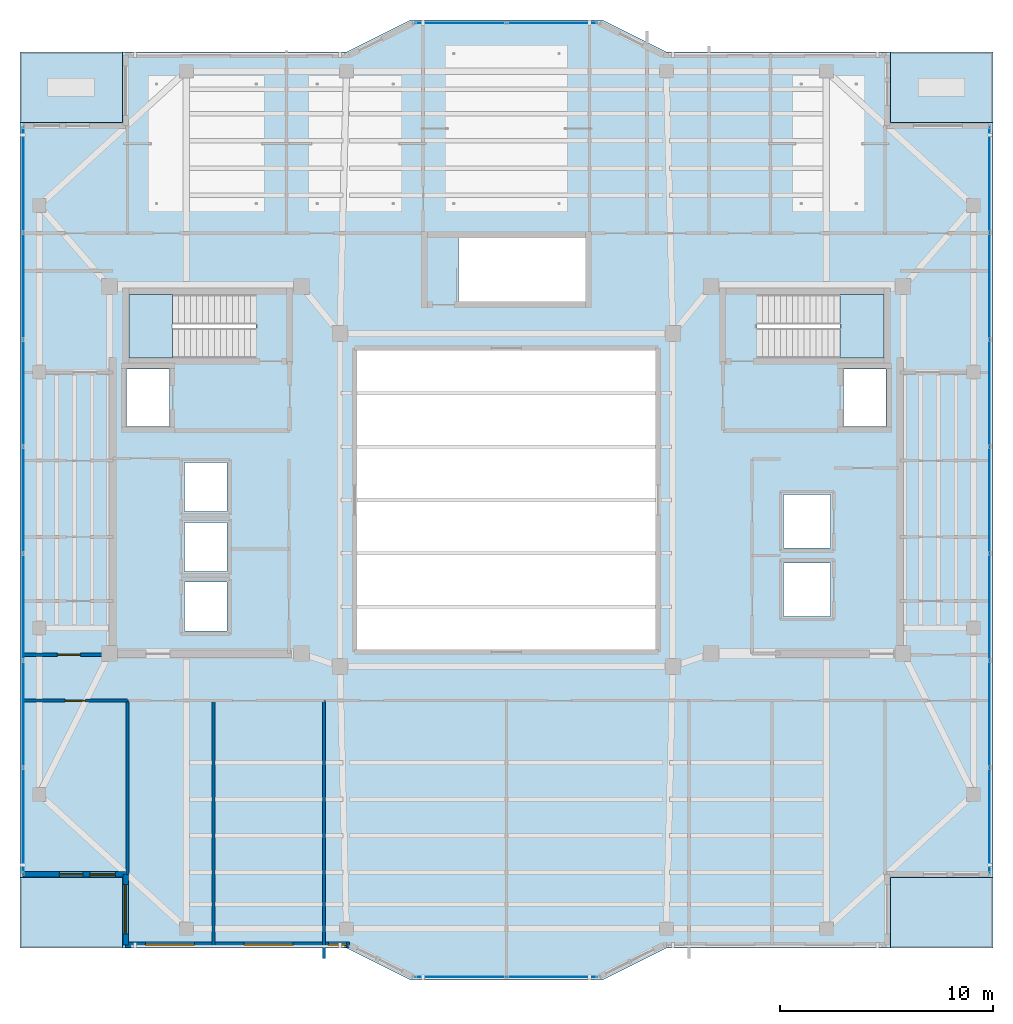
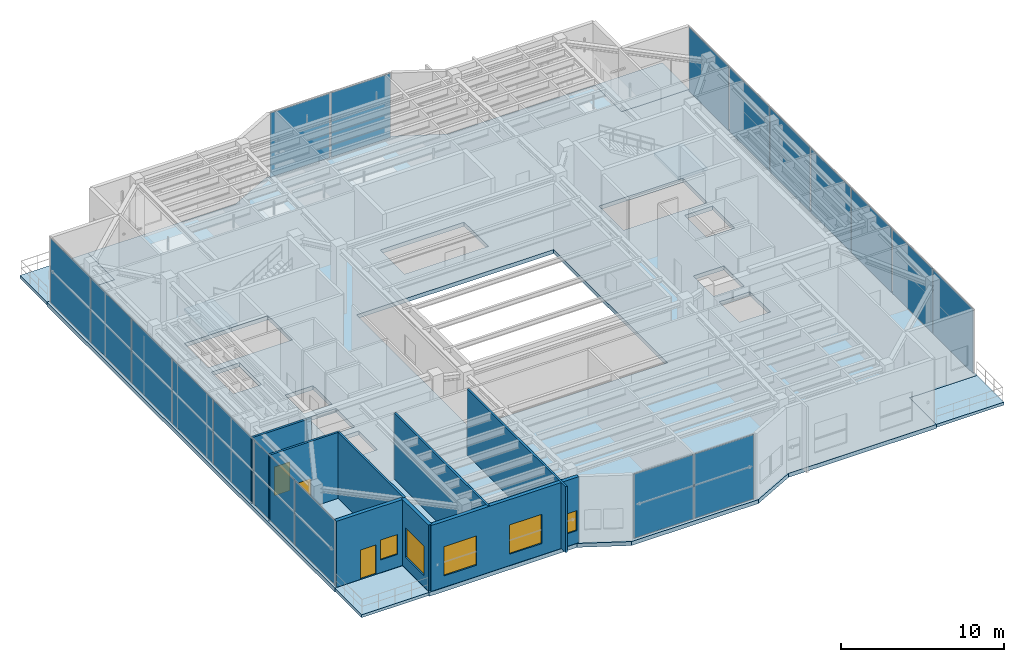
# One storey, part 13 of 23: 18 plates, 8 walls, 7 slabs, 5 windows, 3 doors, 8 openings, 6 elements without a shape of their own.
"""IFC4 building model written with IfcOpenShell, lengths in metres."""

from ifc_helpers import new_model, si_unit, direction, frame, frame_2d, origin, origin_2d, place, context, subcontext, project, spatial, polyline, rectangle, outline, extrude, material, layer, layer_set, type_object, element, fill, aggregate, save


model = new_model("IFC4")

# Units and contexts
model_context = context("Model", 3, precision=1e-05, world=origin(), true_north=direction((0.0, 1.0)))
body_context = subcontext(model_context, "Body", "Model", "MODEL_VIEW")
ifc_project = project(units=[si_unit("LENGTHUNIT", "METRE"), si_unit("AREAUNIT", "SQUARE_METRE"), si_unit("VOLUMEUNIT", "CUBIC_METRE"), si_unit("PLANEANGLEUNIT", "RADIAN"), si_unit("MASSUNIT", "GRAM", prefix="KILO")], contexts=[model_context])

# Site, building, storey
site_placement = place(None, origin())
site = spatial("IfcSite", under=ifc_project, at=site_placement, CompositionType="ELEMENT")
building_placement = place(site_placement, origin())
building = spatial("IfcBuilding", under=site, at=building_placement, Name="Tarnavaz Court Tower", CompositionType="ELEMENT")
storey_placement = place(building_placement, frame((0.0, 0.0, 276.300048828125)))
storey = spatial("IfcBuildingStorey", under=building, at=storey_placement, Name="L75", CompositionType="ELEMENT", Elevation=276.300048828125)

# Curtain wall, plates
ifc_material_1 = material(Name="Anodised Aluminium 6063-T6 and Solar Low-E Glazing", Category="aluminium")
ifc_layer_1 = layer(ifc_material_1, 0.2099609375)
ifc_layer_set_1 = layer_set([ifc_layer_1], Name="Anodised Aluminium 6063-T6 and Solar Low-E Glazing")
curtain_wall_type = type_object("IfcCurtainWallType", Name="CW-SYS-06", PredefinedType="NOTDEFINED", material=ifc_layer_set_1)
curtain_wall_1_placement = place(storey_placement, origin())
curtain_wall_1 = element("IfcCurtainWall", 1, at=curtain_wall_1_placement, inside=storey, type_object=curtain_wall_type, Name="L75 Observation Curtain Wall 2", PredefinedType="NOTDEFINED")
ifc_material_2 = material(Name="Double-Glazed Solar Low-E Glass", Category="glass")
ifc_layer_2 = layer(ifc_material_2, 0.028076171875)
ifc_layer_set_2 = layer_set([ifc_layer_2], Name="Double-Glazed Solar Low-E Glass")
plate_type = type_object("IfcPlateType", Name="CW-PAN-GLZ28", PredefinedType="CURTAIN_PANEL", material=ifc_layer_set_2)
plate_1_placement = place(storey_placement, frame((-22.64990234375, -15.021728515625, 0.06494140625), z_axis=(0.0, 0.0, 1.0), x_axis=(0.0, 1.0, 0.0)))
plate_1 = element("IfcPlate", 2, at=plate_1_placement, type_object=plate_type, Name="CW panel 1.1", PredefinedType="CURTAIN_PANEL", context=body_context, shape_type="SweptSolid", body=[
    extrude(rectangle(XDim=4.88671875, YDim=0.028076171875, at=origin_2d()), origin(), (0.0, 0.0, 1.0), 4.820068359375),
])
plate_2_placement = place(storey_placement, frame((-22.64990234375, -10.028564453125, 0.06494140625), z_axis=(0.0, 0.0, 1.0), x_axis=(0.0, 1.0, 0.0)))
plate_2 = element("IfcPlate", 3, at=plate_2_placement, type_object=plate_type, Name="CW panel 2.1", PredefinedType="CURTAIN_PANEL", context=body_context, shape_type="SweptSolid", body=[
    extrude(rectangle(XDim=4.92919921875, YDim=0.028076171875, at=origin_2d()), origin(), (0.0, 0.0, 1.0), 4.820068359375),
])
plate_3_placement = place(storey_placement, frame((-22.64990234375, -5.014404296875, 0.06494140625), z_axis=(0.0, 0.0, 1.0), x_axis=(0.0, 1.0, 0.0)))
plate_3 = element("IfcPlate", 4, at=plate_3_placement, type_object=plate_type, Name="CW panel 3.1", PredefinedType="CURTAIN_PANEL", context=body_context, shape_type="SweptSolid", body=[
    extrude(rectangle(XDim=4.92919921875, YDim=0.028076171875, at=origin_2d()), origin(), (0.0, 0.0, 1.0), 4.820068359375),
])
plate_4_placement = place(storey_placement, frame((-22.64990234375, 0.0, 0.06494140625), z_axis=(0.0, 0.0, 1.0), x_axis=(0.0, 1.0, 0.0)))
plate_4 = element("IfcPlate", 5, at=plate_4_placement, type_object=plate_type, Name="CW panel 4.1", PredefinedType="CURTAIN_PANEL", context=body_context, shape_type="SweptSolid", body=[
    extrude(rectangle(XDim=4.92919921875, YDim=0.028076171875, at=origin_2d()), origin(), (0.0, 0.0, 1.0), 4.820068359375),
])
plate_5_placement = place(storey_placement, frame((-22.64990234375, 5.014404296875, 0.06494140625), z_axis=(0.0, 0.0, 1.0), x_axis=(0.0, 1.0, 0.0)))
plate_5 = element("IfcPlate", 6, at=plate_5_placement, type_object=plate_type, Name="CW panel 5.1", PredefinedType="CURTAIN_PANEL", context=body_context, shape_type="SweptSolid", body=[
    extrude(rectangle(XDim=4.92919921875, YDim=0.028076171875, at=origin_2d()), origin(), (0.0, 0.0, 1.0), 4.820068359375),
])
plate_6_placement = place(storey_placement, frame((-22.64990234375, 10.028564453125, 0.06494140625), z_axis=(0.0, 0.0, 1.0), x_axis=(0.0, 1.0, 0.0)))
plate_6 = element("IfcPlate", 7, at=plate_6_placement, type_object=plate_type, Name="CW panel 6.1", PredefinedType="CURTAIN_PANEL", context=body_context, shape_type="SweptSolid", body=[
    extrude(rectangle(XDim=4.92919921875, YDim=0.028076171875, at=origin_2d()), origin(), (0.0, 0.0, 1.0), 4.820068359375),
])
plate_7_placement = place(storey_placement, frame((-22.64990234375, 15.021728515625, 0.06494140625), z_axis=(0.0, 0.0, 1.0), x_axis=(0.0, 1.0, 0.0)))
plate_7 = element("IfcPlate", 8, at=plate_7_placement, type_object=plate_type, Name="CW panel 7.1", PredefinedType="CURTAIN_PANEL", context=body_context, shape_type="SweptSolid", body=[
    extrude(rectangle(XDim=4.88671875, YDim=0.028076171875, at=origin_2d()), origin(), (0.0, 0.0, 1.0), 4.820068359375),
])
aggregate(curtain_wall_1, [plate_1, plate_2, plate_3, plate_4, plate_5, plate_6, plate_7])

curtain_wall_2_placement = place(storey_placement, origin())
curtain_wall_2 = element("IfcCurtainWall", 9, at=curtain_wall_2_placement, inside=storey, type_object=curtain_wall_type, Name="L75 Observation Curtain Wall 7", PredefinedType="NOTDEFINED")
plate_8_placement = place(storey_placement, frame((-2.15380859375, 22.35009765625, 0.06494140625), z_axis=(0.0, 0.0, 1.0), x_axis=(1.0, 0.0, 0.0)))
plate_8 = element("IfcPlate", 10, at=plate_8_placement, type_object=plate_type, Name="CW panel 1.1", PredefinedType="CURTAIN_PANEL", context=body_context, shape_type="SweptSolid", body=[
    extrude(rectangle(XDim=4.222412109375, YDim=0.028076171875, at=origin_2d()), origin(), (0.0, 0.0, 1.0), 4.820068359375),
])
plate_9_placement = place(storey_placement, frame((2.15380859375, 22.35009765625, 0.06494140625), z_axis=(0.0, 0.0, 1.0), x_axis=(1.0, 0.0, 0.0)))
plate_9 = element("IfcPlate", 11, at=plate_9_placement, type_object=plate_type, Name="CW panel 2.1", PredefinedType="CURTAIN_PANEL", context=body_context, shape_type="SweptSolid", body=[
    extrude(rectangle(XDim=4.222412109375, YDim=0.028076171875, at=origin_2d()), origin(), (0.0, 0.0, 1.0), 4.820068359375),
])
aggregate(curtain_wall_2, [plate_8, plate_9])

curtain_wall_3_placement = place(storey_placement, origin())
curtain_wall_3 = element("IfcCurtainWall", 12, at=curtain_wall_3_placement, inside=storey, type_object=curtain_wall_type, Name="L75 Observation Curtain Wall 12", PredefinedType="NOTDEFINED")
plate_10_placement = place(storey_placement, frame((22.64990234375, 15.021728515625, 0.06494140625), z_axis=(0.0, 0.0, 1.0), x_axis=(0.0, -1.0, 0.0)))
plate_10 = element("IfcPlate", 13, at=plate_10_placement, type_object=plate_type, Name="CW panel 1.1", PredefinedType="CURTAIN_PANEL", context=body_context, shape_type="SweptSolid", body=[
    extrude(rectangle(XDim=4.88671875, YDim=0.028076171875, at=origin_2d()), origin(), (0.0, 0.0, 1.0), 4.820068359375),
])
plate_11_placement = place(storey_placement, frame((22.64990234375, 10.028564453125, 0.06494140625), z_axis=(0.0, 0.0, 1.0), x_axis=(0.0, -1.0, 0.0)))
plate_11 = element("IfcPlate", 14, at=plate_11_placement, type_object=plate_type, Name="CW panel 2.1", PredefinedType="CURTAIN_PANEL", context=body_context, shape_type="SweptSolid", body=[
    extrude(rectangle(XDim=4.92919921875, YDim=0.028076171875, at=origin_2d()), origin(), (0.0, 0.0, 1.0), 4.820068359375),
])
plate_12_placement = place(storey_placement, frame((22.64990234375, 5.014404296875, 0.06494140625), z_axis=(0.0, 0.0, 1.0), x_axis=(0.0, -1.0, 0.0)))
plate_12 = element("IfcPlate", 15, at=plate_12_placement, type_object=plate_type, Name="CW panel 3.1", PredefinedType="CURTAIN_PANEL", context=body_context, shape_type="SweptSolid", body=[
    extrude(rectangle(XDim=4.92919921875, YDim=0.028076171875, at=origin_2d()), origin(), (0.0, 0.0, 1.0), 4.820068359375),
])
plate_13_placement = place(storey_placement, frame((22.64990234375, 0.0, 0.06494140625), z_axis=(0.0, 0.0, 1.0), x_axis=(0.0, -1.0, 0.0)))
plate_13 = element("IfcPlate", 16, at=plate_13_placement, type_object=plate_type, Name="CW panel 4.1", PredefinedType="CURTAIN_PANEL", context=body_context, shape_type="SweptSolid", body=[
    extrude(rectangle(XDim=4.92919921875, YDim=0.028076171875, at=origin_2d()), origin(), (0.0, 0.0, 1.0), 4.820068359375),
])
plate_14_placement = place(storey_placement, frame((22.64990234375, -5.014404296875, 0.06494140625), z_axis=(0.0, 0.0, 1.0), x_axis=(0.0, -1.0, 0.0)))
plate_14 = element("IfcPlate", 17, at=plate_14_placement, type_object=plate_type, Name="CW panel 5.1", PredefinedType="CURTAIN_PANEL", context=body_context, shape_type="SweptSolid", body=[
    extrude(rectangle(XDim=4.92919921875, YDim=0.028076171875, at=origin_2d()), origin(), (0.0, 0.0, 1.0), 4.820068359375),
])
plate_15_placement = place(storey_placement, frame((22.64990234375, -10.028564453125, 0.06494140625), z_axis=(0.0, 0.0, 1.0), x_axis=(0.0, -1.0, 0.0)))
plate_15 = element("IfcPlate", 18, at=plate_15_placement, type_object=plate_type, Name="CW panel 6.1", PredefinedType="CURTAIN_PANEL", context=body_context, shape_type="SweptSolid", body=[
    extrude(rectangle(XDim=4.92919921875, YDim=0.028076171875, at=origin_2d()), origin(), (0.0, 0.0, 1.0), 4.820068359375),
])
plate_16_placement = place(storey_placement, frame((22.64990234375, -15.021728515625, 0.06494140625), z_axis=(0.0, 0.0, 1.0), x_axis=(0.0, -1.0, 0.0)))
plate_16 = element("IfcPlate", 19, at=plate_16_placement, type_object=plate_type, Name="CW panel 7.1", PredefinedType="CURTAIN_PANEL", context=body_context, shape_type="SweptSolid", body=[
    extrude(rectangle(XDim=4.88671875, YDim=0.028076171875, at=origin_2d()), origin(), (0.0, 0.0, 1.0), 4.820068359375),
])
aggregate(curtain_wall_3, [plate_10, plate_11, plate_12, plate_13, plate_14, plate_15, plate_16])

curtain_wall_4_placement = place(storey_placement, origin())
curtain_wall_4 = element("IfcCurtainWall", 20, at=curtain_wall_4_placement, inside=storey, type_object=curtain_wall_type, Name="L75 Observation Curtain Wall 17", PredefinedType="NOTDEFINED")
plate_17_placement = place(storey_placement, frame((2.15380859375, -22.35009765625, 0.06494140625), z_axis=(0.0, 0.0, 1.0), x_axis=(-1.0, 0.0, 0.0)))
plate_17 = element("IfcPlate", 21, at=plate_17_placement, type_object=plate_type, Name="CW panel 1.1", PredefinedType="CURTAIN_PANEL", context=body_context, shape_type="SweptSolid", body=[
    extrude(rectangle(XDim=4.222412109375, YDim=0.028076171875, at=origin_2d()), origin(), (0.0, 0.0, 1.0), 4.820068359375),
])
plate_18_placement = place(storey_placement, frame((-2.15380859375, -22.35009765625, 0.06494140625), z_axis=(0.0, 0.0, 1.0), x_axis=(-1.0, 0.0, 0.0)))
plate_18 = element("IfcPlate", 22, at=plate_18_placement, type_object=plate_type, Name="CW panel 2.1", PredefinedType="CURTAIN_PANEL", context=body_context, shape_type="SweptSolid", body=[
    extrude(rectangle(XDim=4.222412109375, YDim=0.028076171875, at=origin_2d()), origin(), (0.0, 0.0, 1.0), 4.820068359375),
])
aggregate(curtain_wall_4, [plate_17, plate_18])

# Stair, slab
ifc_material_3 = material(Name="Concrete C40/50", Category="concrete")
stair_type = type_object("IfcStairType", Name="ST-TWR-30R", PredefinedType="HALF_TURN_STAIR", material=ifc_material_3)
stair_1_placement = place(storey_placement, origin())
stair_1 = element("IfcStair", 23, at=stair_1_placement, inside=storey, type_object=stair_type, Name="L75 West Core Pressurized Exit Stair ST-W1", PredefinedType="HALF_TURN_STAIR")
ifc_layer_3 = layer(ifc_material_3, 0.199951171875)
ifc_layer_set_3 = layer_set([ifc_layer_3], Name="Concrete C40/50")
slab_type_1 = type_object("IfcSlabType", Name="SL-LAND-200", PredefinedType="LANDING", material=ifc_layer_set_3)
slab_1_placement = place(storey_placement, frame((0.0, 0.0, 2.425048828125)))
slab_1 = element("IfcSlab", 24, at=slab_1_placement, type_object=slab_type_1, Name="ST-W1 landing 1", PredefinedType="LANDING", context=body_context, shape_type="SweptSolid", body=[
    extrude(outline(polyline([(-15.639892578125, 9.639892578125), (-17.699951171875, 9.639892578125), (-17.699951171875, 6.64990234375), (-15.639892578125, 6.64990234375), (-15.639892578125, 9.639892578125)])), origin(), (0.0, 0.0, 1.0), 0.199951171875),
])
aggregate(stair_1, [slab_1])

stair_2_placement = place(storey_placement, origin())
stair_2 = element("IfcStair", 25, at=stair_2_placement, inside=storey, type_object=stair_type, Name="L75 East Core Pressurized Exit Stair ST-E1", PredefinedType="HALF_TURN_STAIR")
slab_2_placement = place(storey_placement, frame((0.0, 0.0, 2.425048828125)))
slab_2 = element("IfcSlab", 26, at=slab_2_placement, type_object=slab_type_1, Name="ST-E1 landing 1", PredefinedType="LANDING", context=body_context, shape_type="SweptSolid", body=[
    extrude(outline(polyline([(15.639892578125, 6.64990234375), (17.699951171875, 6.64990234375), (17.699951171875, 9.639892578125), (15.639892578125, 9.639892578125), (15.639892578125, 6.64990234375)])), origin(), (0.0, 0.0, 1.0), 0.199951171875),
])
aggregate(stair_2, [slab_2])

# Slabs
ifc_layer_4 = layer(ifc_material_3, 0.300048828125)
ifc_layer_set_4 = layer_set([ifc_layer_4], Name="Concrete C40/50")
slab_type_2 = type_object("IfcSlabType", Name="SL-POD-300", PredefinedType="FLOOR", material=ifc_layer_set_4)
slab_3_placement = place(storey_placement, frame((0.0, 0.0, -0.300048828125)))
element("IfcSlab", 27, at=slab_3_placement, inside=storey, type_object=slab_type_2, Name="L75 Structural Floor Slab", PredefinedType="FLOOR", context=body_context, shape_type="SweptSolid", body=[
    extrude(outline(polyline([(-18.0, -21.0), (-7.5, -21.0), (-4.5, -22.5), (4.5, -22.5), (7.5, -21.0), (18.0, -21.0), (18.0, -17.699951171875), (22.800048828125, -17.699951171875), (22.800048828125, 17.699951171875), (18.0, 17.699951171875), (18.0, 21.0), (7.5, 21.0), (4.5, 22.5), (-4.5, 22.5), (-7.5, 21.0), (-18.0, 21.0), (-18.0, 17.699951171875), (-22.800048828125, 17.699951171875), (-22.800048828125, -17.699951171875), (-18.0, -17.699951171875), (-18.0, -21.0)]), holes=[polyline([(-7.0, -7.0), (7.0, -7.0), (7.0, 7.0), (-7.0, 7.0), (-7.0, -7.0)]), polyline([(-11.7451171875, 9.639892578125), (-17.699951171875, 9.639892578125), (-17.699951171875, 6.64990234375), (-11.7451171875, 6.64990234375), (-11.7451171875, 9.639892578125)]), polyline([(11.7451171875, 6.64990234375), (17.699951171875, 6.64990234375), (17.699951171875, 9.639892578125), (11.7451171875, 9.639892578125), (11.7451171875, 6.64990234375)]), polyline([(-2.2548828125, 9.300048828125), (3.699951171875, 9.300048828125), (3.699951171875, 12.2900390625), (-2.2548828125, 12.2900390625), (-2.2548828125, 9.300048828125)]), polyline([(-17.800048828125, 3.449951171875), (-15.800048828125, 3.449951171875), (-15.800048828125, 6.14990234375), (-17.800048828125, 6.14990234375), (-17.800048828125, 3.449951171875)]), polyline([(-15.10009765625, -6.14990234375), (-13.10009765625, -6.14990234375), (-13.10009765625, -3.85009765625), (-15.10009765625, -3.85009765625), (-15.10009765625, -6.14990234375)]), polyline([(-15.10009765625, -3.35009765625), (-13.10009765625, -3.35009765625), (-13.10009765625, -1.050048828125), (-15.10009765625, -1.050048828125), (-15.10009765625, -3.35009765625)]), polyline([(-15.10009765625, -0.550048828125), (-13.10009765625, -0.550048828125), (-13.10009765625, 1.75), (-15.10009765625, 1.75), (-15.10009765625, -0.550048828125)]), polyline([(15.800048828125, 3.449951171875), (17.800048828125, 3.449951171875), (17.800048828125, 6.14990234375), (15.800048828125, 6.14990234375), (15.800048828125, 3.449951171875)]), polyline([(13.0, -5.449951171875), (15.199951171875, -5.449951171875), (15.199951171875, -2.949951171875), (13.0, -2.949951171875), (13.0, -5.449951171875)]), polyline([(13.0, -2.25), (15.199951171875, -2.25), (15.199951171875, 0.25), (13.0, 0.25), (13.0, -2.25)])]), origin(), (0.0, 0.0, 1.0), 0.300048828125),
])
ifc_layer_5 = layer(ifc_material_3, 0.219970703125)
ifc_layer_set_5 = layer_set([ifc_layer_5], Name="Concrete C40/50")
slab_type_3 = type_object("IfcSlabType", Name="SL-TERR-220", PredefinedType="FLOOR", material=ifc_layer_set_5)
slab_4_placement = place(storey_placement, frame((0.0, 0.0, -0.219970703125)))
element("IfcSlab", 28, at=slab_4_placement, inside=storey, type_object=slab_type_3, Name="L75 NE Planted Sky Terrace", PredefinedType="FLOOR", context=body_context, shape_type="SweptSolid", body=[
    extrude(outline(polyline([(18.0, 17.699951171875), (22.800048828125, 17.699951171875), (22.800048828125, 21.0), (18.0, 21.0), (18.0, 17.699951171875)])), origin(), (0.0, 0.0, 1.0), 0.219970703125),
])
slab_5_placement = place(storey_placement, frame((0.0, 0.0, -0.219970703125)))
element("IfcSlab", 29, at=slab_5_placement, inside=storey, type_object=slab_type_3, Name="L75 NW Planted Sky Terrace", PredefinedType="FLOOR", context=body_context, shape_type="SweptSolid", body=[
    extrude(outline(polyline([(-22.800048828125, 17.699951171875), (-18.0, 17.699951171875), (-18.0, 21.0), (-22.800048828125, 21.0), (-22.800048828125, 17.699951171875)])), origin(), (0.0, 0.0, 1.0), 0.219970703125),
])
slab_6_placement = place(storey_placement, frame((0.0, 0.0, -0.219970703125)))
element("IfcSlab", 30, at=slab_6_placement, inside=storey, type_object=slab_type_3, Name="L75 SE Planted Sky Terrace", PredefinedType="FLOOR", context=body_context, shape_type="SweptSolid", body=[
    extrude(outline(polyline([(18.0, -21.0), (22.800048828125, -21.0), (22.800048828125, -17.699951171875), (18.0, -17.699951171875), (18.0, -21.0)])), origin(), (0.0, 0.0, 1.0), 0.219970703125),
])
slab_7_placement = place(storey_placement, frame((0.0, 0.0, -0.219970703125)))
element("IfcSlab", 31, at=slab_7_placement, inside=storey, type_object=slab_type_3, Name="L75 SW Planted Sky Terrace", PredefinedType="FLOOR", context=body_context, shape_type="SweptSolid", body=[
    extrude(outline(polyline([(-22.800048828125, -21.0), (-18.0, -21.0), (-18.0, -17.699951171875), (-22.800048828125, -17.699951171875), (-22.800048828125, -21.0)])), origin(), (0.0, 0.0, 1.0), 0.219970703125),
])

# Wall, openings, door, window
ifc_material_4 = material(Name="Precast Concrete C40/50", Category="concrete")
ifc_layer_6 = layer(ifc_material_4, 0.260009765625)
ifc_layer_set_6 = layer_set([ifc_layer_6], Name="Precast Concrete C40/50")
wall_type_1 = type_object("IfcWallType", Name="WL-EXT-260", PredefinedType="SOLIDWALL", material=ifc_layer_set_6)
wall_1_placement = place(storey_placement, frame((-17.85009765625, -17.550048828125, 0.0), z_axis=(0.0, 0.0, 1.0), x_axis=(-1.0, 0.0, 0.0)))
wall_1 = element("IfcWall", 32, at=wall_1_placement, inside=storey, type_object=wall_type_1, Name="L75 Exterior Terracotta Facade Wall 01", PredefinedType="SOLIDWALL", context=body_context, shape_type="SweptSolid", body=[
    extrude(rectangle(XDim=4.7998046875, YDim=0.260009765625, at=frame_2d((2.39990234375, 0.0))), origin(), (0.0, 0.0, 1.0), 4.949951171875),
])
opening_1_placement = place(wall_1_placement, frame((2.0, 0.0, 0.0)))
opening_1 = element("IfcOpeningElement", 33, at=opening_1_placement, cuts=wall_1, Name="Opening TD1", PredefinedType="OPENING", context=body_context, shape_type="SweptSolid", body=[
    extrude(rectangle(XDim=1.10009765625, YDim=2.199951171875, at=frame_2d((0.550048828125, 1.10009765625))), frame((0.0, 0.139892578125, 0.0), z_axis=(0.0, -1.0, 0.0), x_axis=(1.0, 0.0, 0.0)), (0.0, 0.0, 1.0), 0.280029296875),
])
opening_2_placement = place(wall_1_placement, frame((0.47998046875, 0.0, 0.949951171875)))
opening_2 = element("IfcOpeningElement", 34, at=opening_2_placement, cuts=wall_1, Name="Opening W05", PredefinedType="OPENING", context=body_context, shape_type="SweptSolid", body=[
    extrude(rectangle(XDim=1.199951171875, YDim=1.5, at=frame_2d((0.60009765625, 0.75))), frame((0.0, 0.139892578125, 0.0), z_axis=(0.0, -1.0, 0.0), x_axis=(1.0, 0.0, 0.0)), (0.0, 0.0, 1.0), 0.280029296875),
])
ifc_material_5 = material(Name="Thermally Broken Aluminium and Laminated Glass", Category="aluminium")
door_type_1 = type_object("IfcDoorType", Name="DR-TERR-1100", OperationType="NOTDEFINED", PredefinedType="DOOR", material=ifc_material_5)
door_1_placement = place(opening_1_placement, origin())
door_1 = element("IfcDoor", 35, at=door_1_placement, inside=storey, type_object=door_type_1, Name="L75 Sky Terrace Access Door 4", OperationType="SINGLE_SWING_RIGHT", OverallHeight=2.199951171875, OverallWidth=1.10009765625, PredefinedType="DOOR", context=body_context, shape_type="SweptSolid", body=[
    extrude(rectangle(XDim=1.10009765625, YDim=2.199951171875, at=frame_2d((0.550048828125, 1.10009765625))), frame((0.0, 0.02490234375, 0.0), z_axis=(0.0, -1.0, 0.0), x_axis=(1.0, 0.0, 0.0)), (0.0, 0.0, 1.0), 0.050048828125),
])
fill(opening_1, door_1)
window_type_1 = type_object("IfcWindowType", Name="WN-APT-1200", PartitioningType="SINGLE_PANEL", PredefinedType="WINDOW", material=ifc_material_2)
window_1_placement = place(opening_2_placement, origin())
window_1 = element("IfcWindow", 36, at=window_1_placement, inside=storey, type_object=window_type_1, Name="L75 L75 SW Terrace Salon Window", OverallHeight=1.5, OverallWidth=1.199951171875, PartitioningType="SINGLE_PANEL", PredefinedType="WINDOW", context=body_context, shape_type="SweptSolid", body=[
    extrude(rectangle(XDim=1.199951171875, YDim=1.5, at=frame_2d((0.60009765625, 0.75))), frame((0.0, 0.030029296875, 0.0), z_axis=(0.0, -1.0, 0.0), x_axis=(1.0, 0.0, 0.0)), (0.0, 0.0, 1.0), 0.06005859375),
])
fill(opening_2, window_1)

# Wall, openings, windows
wall_2_placement = place(storey_placement, frame((-7.35009765625, -20.85009765625, 0.0), z_axis=(0.0, 0.0, 1.0), x_axis=(-1.0, 0.0, 0.0)))
wall_2 = element("IfcWall", 37, at=wall_2_placement, inside=storey, type_object=wall_type_1, Name="L75 Exterior Terracotta Facade Wall 19", PredefinedType="SOLIDWALL", context=body_context, shape_type="SweptSolid", body=[
    extrude(rectangle(XDim=10.5, YDim=0.260009765625, at=frame_2d((5.25, 0.0))), origin(), (0.0, 0.0, 1.0), 4.949951171875),
])
opening_3_placement = place(wall_2_placement, frame((0.14501953125, 0.0, 0.949951171875)))
opening_3 = element("IfcOpeningElement", 38, at=opening_3_placement, cuts=wall_2, Name="Opening W15", PredefinedType="OPENING", context=body_context, shape_type="SweptSolid", body=[
    extrude(rectangle(XDim=0.85009765625, YDim=1.5, at=frame_2d((0.425048828125, 0.75))), frame((0.0, 0.139892578125, 0.0), z_axis=(0.0, -1.0, 0.0), x_axis=(1.0, 0.0, 0.0)), (0.0, 0.0, 1.0), 0.280029296875),
])
opening_4_placement = place(wall_2_placement, frame((2.64990234375, 0.0, 0.85009765625)))
opening_4 = element("IfcOpeningElement", 39, at=opening_4_placement, cuts=wall_2, Name="Opening W12", PredefinedType="OPENING", context=body_context, shape_type="SweptSolid", body=[
    extrude(rectangle(XDim=2.300048828125, YDim=2.199951171875, at=frame_2d((1.14990234375, 1.10009765625))), frame((0.0, 0.139892578125, 0.0), z_axis=(0.0, -1.0, 0.0), x_axis=(1.0, 0.0, 0.0)), (0.0, 0.0, 1.0), 0.280029296875),
])
opening_5_placement = place(wall_2_placement, frame((7.27490234375, 0.0, 0.85009765625)))
opening_5 = element("IfcOpeningElement", 40, at=opening_5_placement, cuts=wall_2, Name="Opening W12", PredefinedType="OPENING", context=body_context, shape_type="SweptSolid", body=[
    extrude(rectangle(XDim=2.300048828125, YDim=2.199951171875, at=frame_2d((1.14990234375, 1.10009765625))), frame((0.0, 0.139892578125, 0.0), z_axis=(0.0, -1.0, 0.0), x_axis=(1.0, 0.0, 0.0)), (0.0, 0.0, 1.0), 0.280029296875),
])
window_type_2 = type_object("IfcWindowType", Name="WN-APT-850", PartitioningType="SINGLE_PANEL", PredefinedType="WINDOW", material=ifc_material_2)
window_2_placement = place(opening_3_placement, origin())
window_2 = element("IfcWindow", 41, at=window_2_placement, inside=storey, type_object=window_type_2, Name="L75 L75 South-West Cultural Classroom Window", OverallHeight=1.5, OverallWidth=0.85009765625, PartitioningType="SINGLE_PANEL", PredefinedType="WINDOW", context=body_context, shape_type="SweptSolid", body=[
    extrude(rectangle(XDim=0.85009765625, YDim=1.5, at=frame_2d((0.425048828125, 0.75))), frame((0.0, 0.030029296875, 0.0), z_axis=(0.0, -1.0, 0.0), x_axis=(1.0, 0.0, 0.0)), (0.0, 0.0, 1.0), 0.06005859375),
])
fill(opening_3, window_2)
window_type_3 = type_object("IfcWindowType", Name="WN-COM-2300", PartitioningType="DOUBLE_PANEL_VERTICAL", PredefinedType="WINDOW", material=ifc_material_2)
window_3_placement = place(opening_4_placement, origin())
window_3 = element("IfcWindow", 42, at=window_3_placement, inside=storey, type_object=window_type_3, Name="L75 L75 South-West Study Room Window", OverallHeight=2.199951171875, OverallWidth=2.300048828125, PartitioningType="SINGLE_PANEL", PredefinedType="WINDOW", context=body_context, shape_type="SweptSolid", body=[
    extrude(rectangle(XDim=2.300048828125, YDim=2.199951171875, at=frame_2d((1.14990234375, 1.10009765625))), frame((0.0, 0.030029296875, 0.0), z_axis=(0.0, -1.0, 0.0), x_axis=(1.0, 0.0, 0.0)), (0.0, 0.0, 1.0), 0.06005859375),
])
fill(opening_4, window_3)
window_4_placement = place(opening_5_placement, origin())
window_4 = element("IfcWindow", 43, at=window_4_placement, inside=storey, type_object=window_type_3, Name="L75 High-Rise Visitor Cafe Window", OverallHeight=2.199951171875, OverallWidth=2.300048828125, PartitioningType="SINGLE_PANEL", PredefinedType="WINDOW", context=body_context, shape_type="SweptSolid", body=[
    extrude(rectangle(XDim=2.300048828125, YDim=2.199951171875, at=frame_2d((1.14990234375, 1.10009765625))), frame((0.0, 0.030029296875, 0.0), z_axis=(0.0, -1.0, 0.0), x_axis=(1.0, 0.0, 0.0)), (0.0, 0.0, 1.0), 0.06005859375),
])
fill(opening_5, window_4)

# Wall, opening, window
wall_3_placement = place(storey_placement, frame((-17.85009765625, -20.85009765625, 0.0), z_axis=(0.0, 0.0, 1.0), x_axis=(0.0, 1.0, 0.0)))
wall_3 = element("IfcWall", 44, at=wall_3_placement, inside=storey, type_object=wall_type_1, Name="L75 Exterior Terracotta Facade Wall 20", PredefinedType="SOLIDWALL", context=body_context, shape_type="SweptSolid", body=[
    extrude(rectangle(XDim=3.300048828125, YDim=0.260009765625, at=frame_2d((1.64990234375, 0.0))), origin(), (0.0, 0.0, 1.0), 4.949951171875),
])
opening_6_placement = place(wall_3_placement, frame((0.517578125, 0.0, 0.85009765625)))
opening_6 = element("IfcOpeningElement", 45, at=opening_6_placement, cuts=wall_3, Name="Opening W12", PredefinedType="OPENING", context=body_context, shape_type="SweptSolid", body=[
    extrude(rectangle(XDim=2.300048828125, YDim=2.199951171875, at=frame_2d((1.14990234375, 1.10009765625))), frame((0.0, 0.139892578125, 0.0), z_axis=(0.0, -1.0, 0.0), x_axis=(1.0, 0.0, 0.0)), (0.0, 0.0, 1.0), 0.280029296875),
])
window_5_placement = place(opening_6_placement, origin())
window_5 = element("IfcWindow", 46, at=window_5_placement, inside=storey, type_object=window_type_3, Name="L75 High-Rise Visitor Cafe Window", OverallHeight=2.199951171875, OverallWidth=2.300048828125, PartitioningType="SINGLE_PANEL", PredefinedType="WINDOW", context=body_context, shape_type="SweptSolid", body=[
    extrude(rectangle(XDim=2.300048828125, YDim=2.199951171875, at=frame_2d((1.14990234375, 1.10009765625))), frame((0.0, 0.030029296875, 0.0), z_axis=(0.0, -1.0, 0.0), x_axis=(1.0, 0.0, 0.0)), (0.0, 0.0, 1.0), 0.06005859375),
])
fill(opening_6, window_5)

# Wall, opening, door
ifc_material_6 = material(Name="Gypsum Fire-Board on Acoustic Metal Stud", Category="masonry")
ifc_layer_7 = layer(ifc_material_6, 0.14990234375)
ifc_layer_set_7 = layer_set([ifc_layer_7], Name="Gypsum Fire-Board on Acoustic Metal Stud")
wall_type_2 = type_object("IfcWallType", Name="WL-FIRE-150", PredefinedType="PARTITIONING", material=ifc_layer_set_7)
wall_4_placement = place(storey_placement, frame((-22.679931640625, -7.25, 0.0), z_axis=(0.0, 0.0, 1.0), x_axis=(1.0, 0.0, 0.0)))
wall_4 = element("IfcWall", 47, at=wall_4_placement, inside=storey, type_object=wall_type_2, Name="L75 Interior Partition 073", PredefinedType="PARTITIONING", context=body_context, shape_type="SweptSolid", body=[
    extrude(rectangle(XDim=4.22998046875, YDim=0.14990234375, at=frame_2d((2.114990234375, 0.0))), origin(), (0.0, 0.0, 1.0), 4.949951171875),
])
opening_7_placement = place(wall_4_placement, frame((1.6298828125, 0.0, 0.0)))
opening_7 = element("IfcOpeningElement", 48, at=opening_7_placement, cuts=wall_4, Name="Opening D12", PredefinedType="OPENING", context=body_context, shape_type="SweptSolid", body=[
    extrude(rectangle(XDim=1.080078125, YDim=2.14990234375, at=frame_2d((0.5400390625, 1.074951171875))), frame((0.0, 0.0849609375, 0.0), z_axis=(0.0, -1.0, 0.0), x_axis=(1.0, 0.0, 0.0)), (0.0, 0.0, 1.0), 0.169921875),
])
ifc_material_7 = material(Name="Engineered Oak Timber", Category="wood")
door_type_2 = type_object("IfcDoorType", Name="DR-INT-1100", OperationType="NOTDEFINED", PredefinedType="DOOR", material=ifc_material_7)
door_2_placement = place(opening_7_placement, origin())
door_2 = element("IfcDoor", 49, at=door_2_placement, inside=storey, type_object=door_type_2, Name="L75 West Suite Room 1 Door", OperationType="SINGLE_SWING_RIGHT", OverallHeight=2.14990234375, OverallWidth=1.080078125, PredefinedType="DOOR", context=body_context, shape_type="SweptSolid", body=[
    extrude(rectangle(XDim=1.080078125, YDim=2.14990234375, at=frame_2d((0.5400390625, 1.074951171875))), frame((0.0, 0.02490234375, 0.0), z_axis=(0.0, -1.0, 0.0), x_axis=(1.0, 0.0, 0.0)), (0.0, 0.0, 1.0), 0.050048828125),
])
fill(opening_7, door_2)

wall_5_placement = place(storey_placement, frame((-22.679931640625, -9.39990234375, 0.0), z_axis=(0.0, 0.0, 1.0), x_axis=(1.0, 0.0, 0.0)))
wall_5 = element("IfcWall", 50, at=wall_5_placement, inside=storey, type_object=wall_type_2, Name="L75 Interior Partition 083", PredefinedType="PARTITIONING", context=body_context, shape_type="SweptSolid", body=[
    extrude(rectangle(XDim=4.929931640625, YDim=0.14990234375, at=frame_2d((2.46484375, 0.0))), origin(), (0.0, 0.0, 1.0), 4.949951171875),
])
opening_8_placement = place(wall_5_placement, frame((1.989990234375, 0.0, 0.0)))
opening_8 = element("IfcOpeningElement", 51, at=opening_8_placement, cuts=wall_5, Name="Opening D13", PredefinedType="OPENING", context=body_context, shape_type="SweptSolid", body=[
    extrude(rectangle(XDim=0.949951171875, YDim=2.14990234375, at=frame_2d((0.47509765625, 1.074951171875))), frame((0.0, 0.0849609375, 0.0), z_axis=(0.0, -1.0, 0.0), x_axis=(1.0, 0.0, 0.0)), (0.0, 0.0, 1.0), 0.169921875),
])
door_type_3 = type_object("IfcDoorType", Name="DR-INT-950", OperationType="NOTDEFINED", PredefinedType="DOOR", material=ifc_material_7)
door_3_placement = place(opening_8_placement, origin())
door_3 = element("IfcDoor", 52, at=door_3_placement, inside=storey, type_object=door_type_3, Name="L75 SW Terrace Salon Door", OperationType="SINGLE_SWING_RIGHT", OverallHeight=2.14990234375, OverallWidth=0.949951171875, PredefinedType="DOOR", context=body_context, shape_type="SweptSolid", body=[
    extrude(rectangle(XDim=0.949951171875, YDim=2.14990234375, at=frame_2d((0.47509765625, 1.074951171875))), frame((0.0, 0.02490234375, 0.0), z_axis=(0.0, -1.0, 0.0), x_axis=(1.0, 0.0, 0.0)), (0.0, 0.0, 1.0), 0.050048828125),
])
fill(opening_8, door_3)

# Walls
ifc_material_8 = material(Name="Gypsum Plasterboard Acoustic Partition", Category="masonry")
ifc_layer_8 = layer(ifc_material_8, 0.139892578125)
ifc_layer_set_8 = layer_set([ifc_layer_8], Name="Gypsum Plasterboard Acoustic Partition")
wall_type_3 = type_object("IfcWallType", Name="WL-PART-150", PredefinedType="PARTITIONING", material=ifc_layer_set_8)
wall_6_placement = place(storey_placement, frame((-13.72412109375, -20.89990234375, 0.0), z_axis=(0.0, 0.0, 1.0), x_axis=(0.0, 1.0, 0.0)))
element("IfcWall", 53, at=wall_6_placement, inside=storey, type_object=wall_type_3, Name="L75 Interior Partition 067", PredefinedType="PARTITIONING", context=body_context, shape_type="SweptSolid", body=[
    extrude(rectangle(XDim=11.5, YDim=0.139892578125, at=frame_2d((5.75, 0.0))), origin(), (0.0, 0.0, 1.0), 4.949951171875),
])
wall_7_placement = place(storey_placement, frame((-8.550048828125, -21.50390625, 0.0), z_axis=(0.0, 0.0, 1.0), x_axis=(0.0, 1.0, 0.0)))
element("IfcWall", 54, at=wall_7_placement, inside=storey, type_object=wall_type_3, Name="L75 Interior Partition 068", PredefinedType="PARTITIONING", context=body_context, shape_type="SweptSolid", body=[
    extrude(rectangle(XDim=12.10400390625, YDim=0.139892578125, at=frame_2d((6.052001953125, 0.0))), origin(), (0.0, 0.0, 1.0), 4.949951171875),
])
wall_8_placement = place(storey_placement, frame((-17.75, -17.550048828125, 0.0), z_axis=(0.0, 0.0, 1.0), x_axis=(0.0, 1.0, 0.0)))
element("IfcWall", 55, at=wall_8_placement, inside=storey, type_object=wall_type_3, Name="L75 Interior Partition 077", PredefinedType="PARTITIONING", context=body_context, shape_type="SweptSolid", body=[
    extrude(rectangle(XDim=8.150146484375, YDim=0.139892578125, at=frame_2d((4.0751953125, 0.0))), origin(), (0.0, 0.0, 1.0), 4.949951171875),
])

save(model, "model.ifc")
